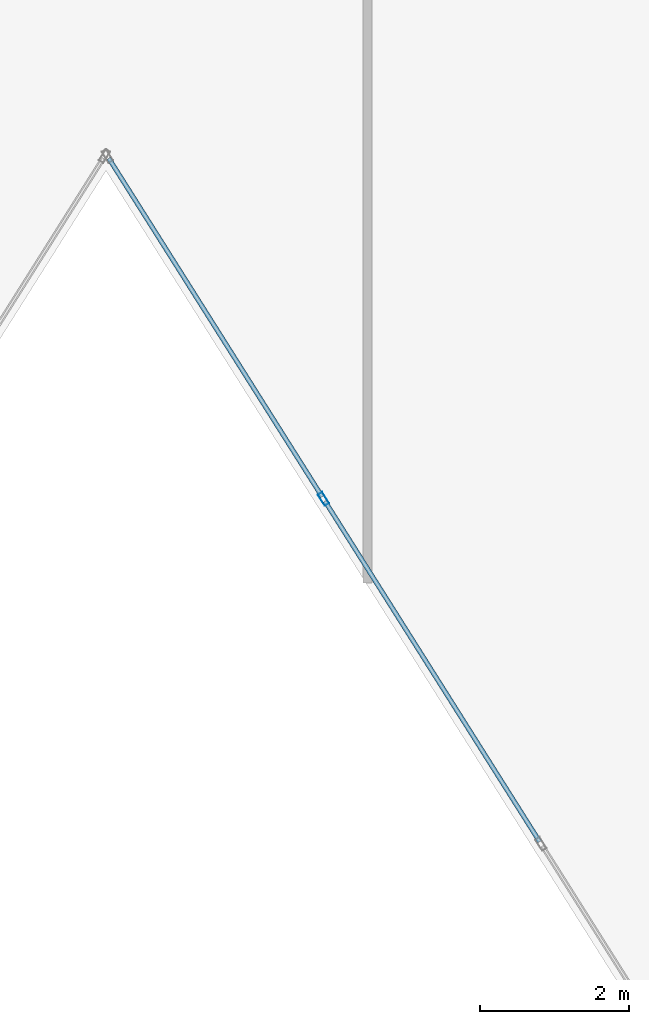
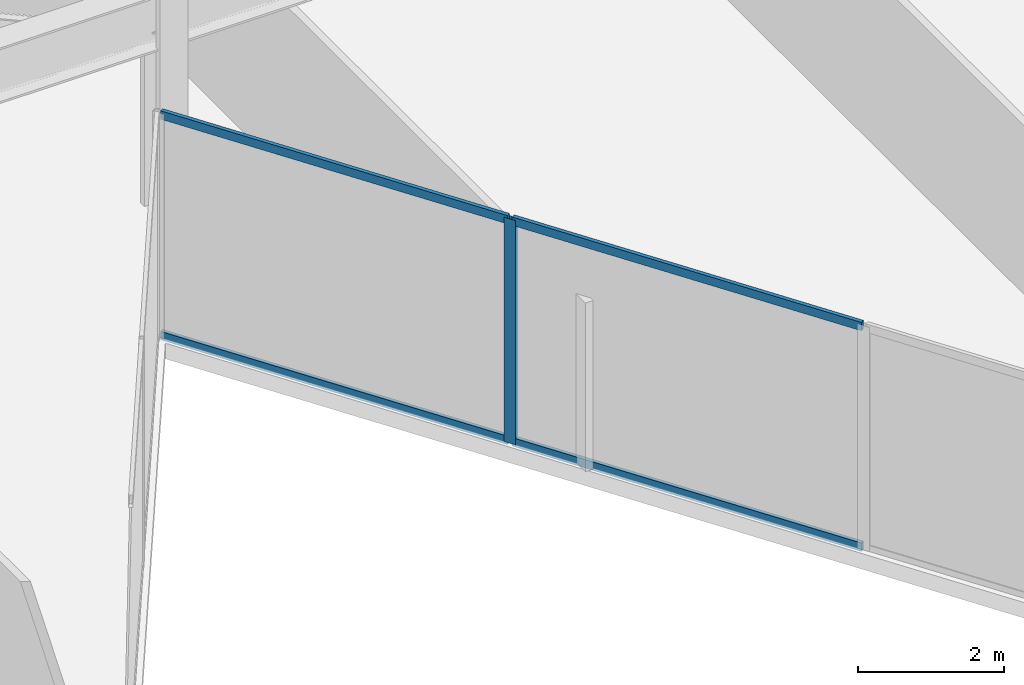
# One storey, part 15 of 24: 5 members, 1 element without a shape of its own.
"""IFC4 building model written with IfcOpenShell, lengths in metres."""

from ifc_helpers import new_model, si_unit, direction, frame, origin, origin_2d, place, context, subcontext, project, spatial, hollow_rectangle, extrude, material, layer, layer_set, material_profile, profile_set, type_object, element, aggregate, save


model = new_model("IFC4")

# Units and contexts
model_context = context("Model", 3, precision=1e-05, world=origin(), true_north=direction((0.0, 1.0)))
body_context = subcontext(model_context, "Body", "Model", "MODEL_VIEW")
ifc_project = project(units=[si_unit("LENGTHUNIT", "METRE"), si_unit("AREAUNIT", "SQUARE_METRE"), si_unit("VOLUMEUNIT", "CUBIC_METRE"), si_unit("PLANEANGLEUNIT", "RADIAN"), si_unit("MASSUNIT", "GRAM", prefix="KILO")], contexts=[model_context])

# Site, building, storey
site_placement = place(None, origin())
site = spatial("IfcSite", under=ifc_project, at=site_placement, CompositionType="ELEMENT")
building_placement = place(site_placement, origin())
building = spatial("IfcBuilding", under=site, at=building_placement, Name="Kravanh Interchange Tower", CompositionType="ELEMENT")
storey_placement = place(building_placement, frame((0.0, 0.0, 53.5)))
storey = spatial("IfcBuildingStorey", under=building, at=storey_placement, Name="L12", CompositionType="ELEMENT", Elevation=53.5)

# Curtain wall, members
ifc_material_1 = material(Name="Anodised Bronze Aluminium", Category="aluminium")
ifc_layer = layer(ifc_material_1, 0.179931640625)
ifc_layer_set = layer_set([ifc_layer], Name="Unitised Curtain Wall System CW-Z1 Lower Office")
curtain_wall_type = type_object("IfcCurtainWallType", Name="Unitised Curtain Wall System CW-Z1 Lower Office", PredefinedType="NOTDEFINED", material=ifc_layer_set)
curtain_wall_placement = place(storey_placement, origin())
curtain_wall = element("IfcCurtainWall", 1, at=curtain_wall_placement, inside=storey, type_object=curtain_wall_type, Name="L12 Unitised Curtain Wall CW-L12-04", PredefinedType="NOTDEFINED")
ifc_material_2 = material(Name="Anodised Bronze Aluminium", Category="aluminium")
ifc_material_profile_1 = material_profile(ifc_material_2, hollow_rectangle(XDim=0.070068359375, YDim=0.179931640625, WallThickness=0.00390625, at=origin_2d()), Name="ALU70X180X4")
ifc_profile_set_1 = profile_set([ifc_material_profile_1], Name="Anodised Bronze Aluminium")
member_type_1 = type_object("IfcMemberType", Name="Curtain Wall Mullion ALU70X180X4 Bronze", PredefinedType="MULLION", material=ifc_profile_set_1)
member_1_placement = place(storey_placement, frame((39.913330078125, 19.60400390625, 0.0), z_axis=(0.0, 0.0, 1.0), x_axis=(-0.845925530786, -0.53330103728, 0.0)))
member_1 = element("IfcMember", 2, at=member_1_placement, type_object=member_type_1, Name="CW-Z1 mullion 5", PredefinedType="MULLION", context=body_context, shape_type="SweptSolid", body=[
    extrude(hollow_rectangle(XDim=0.070068359375, YDim=0.179931640625, WallThickness=0.00390625, at=origin_2d()), origin(), (0.0, 0.0, 1.0), 3.739990234375),
])
ifc_material_3 = material(Name="Anodised Bronze Aluminium", Category="aluminium")
ifc_material_profile_2 = material_profile(ifc_material_3, hollow_rectangle(XDim=0.06005859375, YDim=0.139892578125, WallThickness=0.00390625, at=origin_2d()), Name="ALU60X140X4")
ifc_profile_set_2 = profile_set([ifc_material_profile_2], Name="Anodised Bronze Aluminium")
member_type_2 = type_object("IfcMemberType", Name="Curtain Wall Transom ALU60X140X4 Bronze", PredefinedType="USERDEFINED", material=ifc_profile_set_2)
member_2_placement = place(storey_placement, frame((42.807861328125, 15.0126953125, 0.030029296875), z_axis=(-0.533311487456, 0.84591894254, 0.0), x_axis=(-0.84591894254, -0.533311487456, 0.0)))
member_2 = element("IfcMember", 3, at=member_2_placement, type_object=member_type_2, Name="CW-Z1 transom 4.1", ObjectType="TRANSOM", PredefinedType="USERDEFINED", context=body_context, shape_type="SweptSolid", body=[
    extrude(hollow_rectangle(XDim=0.06005859375, YDim=0.139892578125, WallThickness=0.00390625, at=origin_2d()), origin(), (0.0, 0.0, 1.0), 5.392578125),
])
member_3_placement = place(storey_placement, frame((42.807861328125, 15.0126953125, 3.7099609375), z_axis=(-0.533311487456, 0.84591894254, 0.0), x_axis=(-0.84591894254, -0.533311487456, 0.0)))
member_3 = element("IfcMember", 4, at=member_3_placement, type_object=member_type_2, Name="CW-Z1 transom 4.2", ObjectType="TRANSOM", PredefinedType="USERDEFINED", context=body_context, shape_type="SweptSolid", body=[
    extrude(hollow_rectangle(XDim=0.06005859375, YDim=0.139892578125, WallThickness=0.00390625, at=origin_2d()), origin(), (0.0, 0.0, 1.0), 5.392578125),
])
member_4_placement = place(storey_placement, frame((39.89453125, 19.633544921875, 0.030029296875), z_axis=(-0.533288163518, 0.845933646719, 0.0), x_axis=(-0.845933646719, -0.533288163518, 0.0)))
member_4 = element("IfcMember", 5, at=member_4_placement, type_object=member_type_2, Name="CW-Z1 transom 5.1", ObjectType="TRANSOM", PredefinedType="USERDEFINED", context=body_context, shape_type="SweptSolid", body=[
    extrude(hollow_rectangle(XDim=0.06005859375, YDim=0.139892578125, WallThickness=0.00390625, at=origin_2d()), origin(), (0.0, 0.0, 1.0), 5.357666015625),
])
member_5_placement = place(storey_placement, frame((39.89453125, 19.633544921875, 3.7099609375), z_axis=(-0.533288163518, 0.845933646719, 0.0), x_axis=(-0.845933646719, -0.533288163518, 0.0)))
member_5 = element("IfcMember", 6, at=member_5_placement, type_object=member_type_2, Name="CW-Z1 transom 5.2", ObjectType="TRANSOM", PredefinedType="USERDEFINED", context=body_context, shape_type="SweptSolid", body=[
    extrude(hollow_rectangle(XDim=0.06005859375, YDim=0.139892578125, WallThickness=0.00390625, at=origin_2d()), origin(), (0.0, 0.0, 1.0), 5.357666015625),
])
aggregate(curtain_wall, [member_1, member_2, member_3, member_4, member_5])

save(model, "model.ifc")
